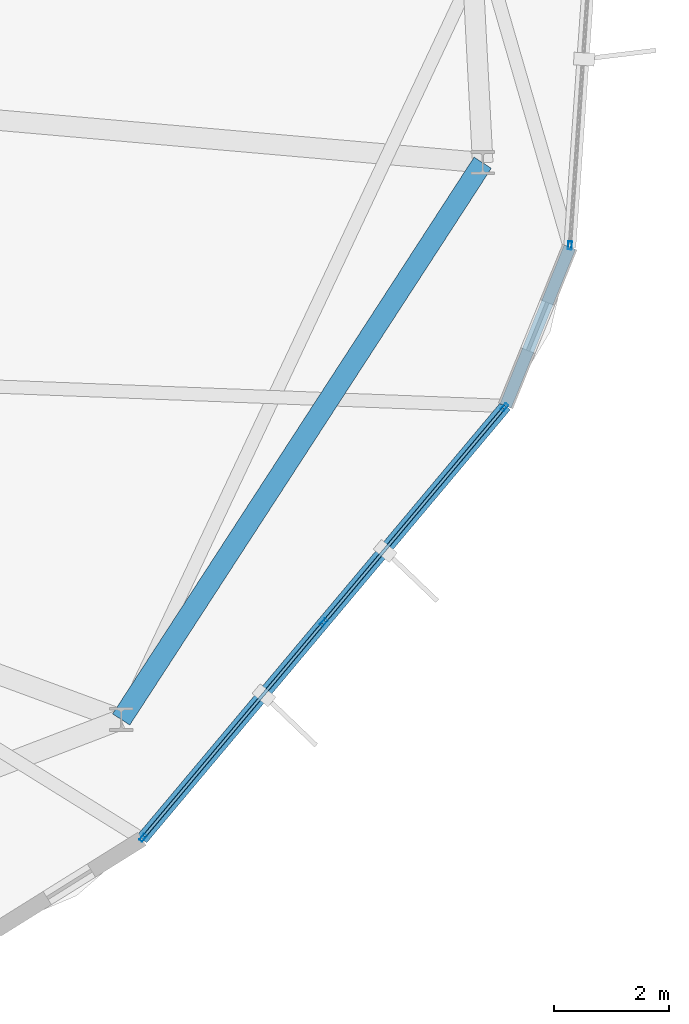
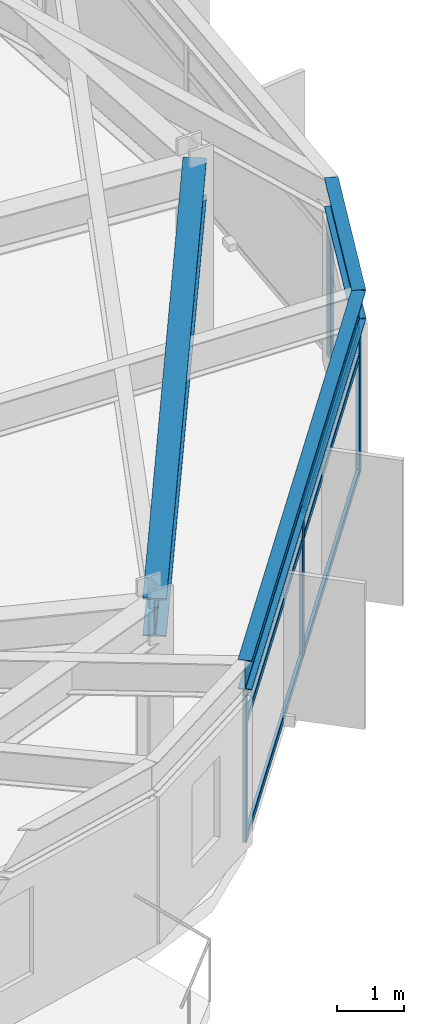
# One storey, part 8 of 23: 10 members, 3 beams, 2 elements without a shape of their own.
"""IFC4 building model written with IfcOpenShell, lengths in metres."""

import ifcopenshell
import ifcopenshell.guid

model = None  # the IFC model being written
_history = None  # IfcOwnerHistory: only IFC2X3 demands one
_inside = {}  # id of a spatial element -> (the spatial element, [elements in it])
_under = {}  # id of a project, library or spatial element -> (it, [spatial elements below it])
_declared = {}  # id of a project -> (the project, [libraries it declares])
_typed = {}  # id of a type object -> (the type object, [elements of that type])
_made_of = {}  # id of a material, layer set ... -> (it, [elements and type objects made of it])


def new_model(schema):
    """Start an empty IFC model of exactly this schema.

    Asked for "IFC4X3", IfcOpenShell would pick the latest addendum, in which some entities
    have other attributes; the version numbers below select the first issue.
    IFC2X3 requires an IfcOwnerHistory on every rooted entity: one is made here for all.
    """
    global model, _history
    if schema == "IFC4X3":
        model = ifcopenshell.file(schema_version=(4, 3, 0, 0))
    else:
        model = ifcopenshell.file(schema=schema)
    _inside.clear()
    _under.clear()
    _declared.clear()
    _typed.clear()
    _made_of.clear()
    _history = None
    if model.schema == "IFC2X3":
        org = make("IfcOrganization", Name="unknown")
        user = make(
            "IfcPersonAndOrganization",
            ThePerson=make("IfcPerson", FamilyName="unknown"),
            TheOrganization=org,
        )
        app = make(
            "IfcApplication",
            ApplicationDeveloper=org,
            Version="unknown",
            ApplicationFullName="unknown",
            ApplicationIdentifier="unknown",
        )
        _history = make(
            "IfcOwnerHistory",
            OwningUser=user,
            OwningApplication=app,
            ChangeAction="ADDED",
            CreationDate=0,
        )
    return model


def make(cls, **values):
    """One entity of the class cls with the attributes given. An attribute that is None is left unset."""
    return model.create_entity(
        cls, **{name: value for name, value in values.items() if value is not None}
    )


def rooted(cls, **values):
    """An entity with a GlobalId (a new one), such as an element, a storey or a relation."""
    return make(cls, GlobalId=ifcopenshell.guid.new(), OwnerHistory=_history, **values)


def si_unit(unit_type, name, prefix=None):
    """IfcSIUnit, for example si_unit("LENGTHUNIT", "METRE", prefix="MILLI")."""
    return make("IfcSIUnit", UnitType=unit_type, Prefix=prefix, Name=name)


def assignment(units):
    """IfcUnitAssignment: the units of a project."""
    return None if units is None else make("IfcUnitAssignment", Units=units)


def point(xyz):
    """IfcCartesianPoint."""
    return None if xyz is None else make("IfcCartesianPoint", Coordinates=xyz)


def direction(xyz):
    """IfcDirection."""
    return None if xyz is None else make("IfcDirection", DirectionRatios=xyz)


def frame(location, z_axis=None, x_axis=None):
    """IfcAxis2Placement3D, a coordinate frame: its origin and axes. An axis left out is left unset."""
    return make(
        "IfcAxis2Placement3D",
        Location=point(location),
        Axis=direction(z_axis),
        RefDirection=direction(x_axis),
    )


def frame_2d(location, x_axis=None):
    """IfcAxis2Placement2D, a coordinate frame in the plane: its origin and x axis."""
    return make(
        "IfcAxis2Placement2D", Location=point(location), RefDirection=direction(x_axis)
    )


def origin():
    """The frame at (0, 0, 0) with its axes left unset."""
    return frame((0.0, 0.0, 0.0))


def origin_2d():
    """The frame at (0, 0) in the plane with its x axis left unset."""
    return frame_2d((0.0, 0.0))


def place(relative_to, where):
    """IfcLocalPlacement: puts the frame where relative to a parent placement (None: the world)."""
    return make(
        "IfcLocalPlacement", PlacementRelTo=relative_to, RelativePlacement=where
    )


def context(
    kind, dimensions, precision=None, world=None, true_north=None, identifier=None
):
    """IfcGeometricRepresentationContext, for example the 3D "Model" context."""
    return make(
        "IfcGeometricRepresentationContext",
        ContextIdentifier=identifier,
        ContextType=kind,
        CoordinateSpaceDimension=dimensions,
        Precision=precision,
        WorldCoordinateSystem=world,
        TrueNorth=true_north,
    )


def subcontext(parent, identifier, kind, view, scale=None):
    """IfcGeometricRepresentationSubContext, for example "Body" below "Model"."""
    return make(
        "IfcGeometricRepresentationSubContext",
        ContextIdentifier=identifier,
        ContextType=kind,
        ParentContext=parent,
        TargetScale=scale,
        TargetView=view,
    )


def project(units=None, contexts=None):
    """IfcProject with its units and contexts."""
    return rooted(
        "IfcProject",
        Name="project",
        RepresentationContexts=contexts,
        UnitsInContext=assignment(units),
    )


def spatial(cls, under=None, at=None, **own):
    """A site, building, storey or space (cls), placed at a placement, below another one or the project."""
    s = rooted(cls, ObjectPlacement=at, **own)
    if under is not None:
        _under.setdefault(under.id(), (under, []))[1].append(s)
    return s


def profile(cls, at=None, kind="AREA", **sizes):
    """A parametric profile (cls). Its sizes go by their IFC names, for example OverallWidth=200.0."""
    return make(cls, ProfileType=kind, Position=at, **sizes)


def hollow_rectangle(**sizes):
    """IfcRectangleHollowProfileDef."""
    return profile("IfcRectangleHollowProfileDef", **sizes)


def i_section(**sizes):
    """IfcIShapeProfileDef."""
    return profile("IfcIShapeProfileDef", **sizes)


def extrude(swept, where, along, depth):
    """IfcExtrudedAreaSolid: the profile swept, set in the frame where, extruded along a direction by depth."""
    return make(
        "IfcExtrudedAreaSolid",
        SweptArea=swept,
        Position=where,
        ExtrudedDirection=direction(along),
        Depth=depth,
    )


def shape(context_of_items, identifier, shape_type, items):
    """IfcShapeRepresentation: the items that make up one representation, for example the "Body"."""
    return make(
        "IfcShapeRepresentation",
        ContextOfItems=context_of_items,
        RepresentationIdentifier=identifier,
        RepresentationType=shape_type,
        Items=items,
    )


def material(Name=None, Category=None):
    """IfcMaterial."""
    return make("IfcMaterial", Name=Name, Category=Category)


def layer(
    of_material, thickness, ventilated=None, Name=None, Category=None, Priority=None
):
    """IfcMaterialLayer: one layer of a wall or slab, of a material (None: an air gap)."""
    return make(
        "IfcMaterialLayer",
        Material=of_material,
        LayerThickness=thickness,
        IsVentilated=ventilated,
        Name=Name,
        Category=Category,
        Priority=Priority,
    )


def layer_set(layers, Name=None):
    """IfcMaterialLayerSet."""
    return make("IfcMaterialLayerSet", MaterialLayers=layers, LayerSetName=Name)


def material_profile(
    of_material, cross_section, Name=None, Category=None, Priority=None
):
    """IfcMaterialProfile: a cross section and its material."""
    return make(
        "IfcMaterialProfile",
        Name=Name,
        Material=of_material,
        Profile=cross_section,
        Priority=Priority,
        Category=Category,
    )


def profile_set(profiles, Name=None, composite=None):
    """IfcMaterialProfileSet."""
    return make(
        "IfcMaterialProfileSet",
        Name=Name,
        MaterialProfiles=profiles,
        CompositeProfile=composite,
    )


def made_of(thing, what):
    """Note that an element or type object is made of a material, layer set ...; save() writes the relation."""
    if what is not None:
        _made_of.setdefault(what.id(), (what, []))[1].append(thing)
    return thing


def type_object(cls, material=None, **own):
    """A type object (cls), such as IfcWallType, which elements share."""
    return made_of(rooted(cls, **own), material)


def element(
    cls,
    number,
    at=None,
    inside=None,
    cuts=None,
    type_object=None,
    material=None,
    context=None,
    identifier="Body",
    shape_type=None,
    held_by="IfcProductDefinitionShape",
    body=None,
    shapes=None,
    **own,
):
    """One element of the class cls, such as IfcWall. Its Tag is "e" and its number.

    at: its placement. inside: the storey or other place that contains it. cuts: it is an
    opening in that element (IfcRelVoidsElement). A single representation is given by context,
    identifier, shape_type and body (its items); several are given by shapes. held_by: the class
    of the entity that holds the representations. save() writes the other relations.
    """
    e = rooted(cls, Tag="e%d" % number, ObjectPlacement=at, **own)
    if body is not None:
        shapes = [shape(context, identifier, shape_type, body)]
    if shapes is not None:
        e.Representation = make(held_by, Representations=shapes)
    if inside is not None:
        _inside.setdefault(inside.id(), (inside, []))[1].append(e)
    if cuts is not None:
        rooted(
            "IfcRelVoidsElement", RelatingBuildingElement=cuts, RelatedOpeningElement=e
        )
    if type_object is not None:
        _typed.setdefault(type_object.id(), (type_object, []))[1].append(e)
    return made_of(e, material)


def aggregate(whole, parts):
    """IfcRelAggregates: a whole, such as a stair, and the parts it consists of."""
    return rooted("IfcRelAggregates", RelatingObject=whole, RelatedObjects=parts)


def save(model, path):
    """Write the relations noted so far, then the file.

    IfcRelAggregates (storeys below a building ...), IfcRelContainedInSpatialStructure (elements
    in a storey), IfcRelDefinesByType, IfcRelAssociatesMaterial and IfcRelDeclares: one each for
    every whole, place, type object, material and project.
    """
    for whole, parts in _under.values():
        aggregate(whole, parts)
    for where, things in _inside.values():
        rooted(
            "IfcRelContainedInSpatialStructure",
            RelatedElements=things,
            RelatingStructure=where,
        )
    for kind, things in _typed.values():
        rooted("IfcRelDefinesByType", RelatedObjects=things, RelatingType=kind)
    for what, things in _made_of.values():
        rooted("IfcRelAssociatesMaterial", RelatedObjects=things, RelatingMaterial=what)
    for by, libraries in _declared.values():
        rooted("IfcRelDeclares", RelatingContext=by, RelatedDefinitions=libraries)
    model.write(path)


model = new_model("IFC4")

# Units and contexts
model_context = context("Model", 3, precision=1e-05, world=origin(), true_north=direction((0.0, 1.0)))
body_context = subcontext(model_context, "Body", "Model", "MODEL_VIEW")
ifc_project = project(units=[si_unit("LENGTHUNIT", "METRE"), si_unit("AREAUNIT", "SQUARE_METRE"), si_unit("VOLUMEUNIT", "CUBIC_METRE"), si_unit("PLANEANGLEUNIT", "RADIAN"), si_unit("MASSUNIT", "GRAM", prefix="KILO")], contexts=[model_context])

# Site, building, storey
site_placement = place(None, origin())
site = spatial("IfcSite", under=ifc_project, at=site_placement, CompositionType="ELEMENT")
building_placement = place(site_placement, origin())
building = spatial("IfcBuilding", under=site, at=building_placement, Name="Soratama Intermodal Tower", CompositionType="ELEMENT")
storey_placement = place(building_placement, frame((0.0, 0.0, 215.800048828125)))
storey = spatial("IfcBuildingStorey", under=building, at=storey_placement, Name="L54", CompositionType="ELEMENT", Elevation=215.800048828125)

# Beams
ifc_material_1 = material(Name="Structural steel ASTM A992 Grade 50", Category="steel")
ifc_material_profile_1 = material_profile(ifc_material_1, i_section(OverallWidth=0.35498046875, OverallDepth=0.695068359375, WebThickness=0.015380859375, FlangeThickness=0.02490234375, FilletRadius=0.01611328125, at=origin_2d()), Name="W27X146")
ifc_profile_set_1 = profile_set([ifc_material_profile_1], Name="Structural steel ASTM A992 Grade 50")
beam_type_1 = type_object("IfcBeamType", Name="BM-RING-W27X146", PredefinedType="BEAM", material=ifc_profile_set_1)
beam_1_placement = place(storey_placement, frame((56.705078125, 10.544921875, 2.952392578125), z_axis=(0.544637453764, 0.83867159482, 0.0), x_axis=(-0.83867159482, 0.544637453764, 0.0)))
element("IfcBeam", 1, at=beam_1_placement, inside=storey, type_object=beam_type_1, Name="BM-L54-RING-09", PredefinedType="BEAM", context=body_context, shape_type="SweptSolid", body=[
    extrude(i_section(OverallWidth=0.35498046875, OverallDepth=0.695068359375, WebThickness=0.015380859375, FlangeThickness=0.02490234375, FilletRadius=0.01611328125, at=origin_2d()), origin(), (0.0, 0.0, 1.0), 11.49560546875),
])
ifc_material_2 = material(Name="Structural steel ASTM A992 Grade 50", Category="steel")
ifc_material_profile_2 = material_profile(ifc_material_2, i_section(OverallWidth=0.2099609375, OverallDepth=0.537109375, WebThickness=0.010986328125, FlangeThickness=0.017333984375, FilletRadius=0.012939453125, at=origin_2d()), Name="W21X68")
ifc_profile_set_2 = profile_set([ifc_material_profile_2], Name="Structural steel ASTM A992 Grade 50")
beam_type_2 = type_object("IfcBeamType", Name="BM-SPN-W21X68", PredefinedType="SPANDREL", material=ifc_profile_set_2)
beam_2_placement = place(storey_placement, frame((57.06591796875, 8.47607421875, 3.031494140625), z_axis=(0.643059329608, 0.765816360888, 0.0), x_axis=(-0.765816360888, 0.643059329608, 0.0)))
element("IfcBeam", 2, at=beam_2_placement, inside=storey, type_object=beam_type_2, Name="BS-L54-F08", PredefinedType="SPANDREL", context=body_context, shape_type="SweptSolid", body=[
    extrude(i_section(OverallWidth=0.2099609375, OverallDepth=0.537109375, WebThickness=0.010986328125, FlangeThickness=0.017333984375, FilletRadius=0.012939453125, at=origin_2d()), origin(), (0.0, 0.0, 1.0), 9.791015625),
])
beam_3_placement = place(storey_placement, frame((63.362060546875, 15.97412109375, 3.031494140625), z_axis=(0.374893029437, 0.927068075429, 0.0), x_axis=(-0.927068075429, 0.374893029437, 0.0)))
element("IfcBeam", 3, at=beam_3_placement, inside=storey, type_object=beam_type_2, Name="BS-L54-CRN08", PredefinedType="SPANDREL", context=body_context, shape_type="SweptSolid", body=[
    extrude(i_section(OverallWidth=0.2099609375, OverallDepth=0.537109375, WebThickness=0.010986328125, FlangeThickness=0.017333984375, FilletRadius=0.012939453125, at=origin_2d()), origin(), (0.0, 0.0, 1.0), 2.96630859375),
])

# Curtain wall, members
ifc_material_3 = material(Name="Double-glazed aluminium curtain wall", Category="aluminium")
ifc_layer = layer(ifc_material_3, 0.159912109375)
ifc_layer_set = layer_set([ifc_layer], Name="Double-glazed aluminium curtain wall")
curtain_wall_type = type_object("IfcCurtainWallType", Name="CW-SYS-5", PredefinedType="NOTDEFINED", material=ifc_layer_set)
curtain_wall_1_placement = place(storey_placement, origin())
curtain_wall_1 = element("IfcCurtainWall", 4, at=curtain_wall_1_placement, inside=storey, type_object=curtain_wall_type, Name="L54 Faceted Curtain Wall F08", PredefinedType="NOTDEFINED")
ifc_material_4 = material(Name="Anodised aluminium AA 6063-T6", Category="aluminium")
ifc_material_profile_3 = material_profile(ifc_material_4, hollow_rectangle(XDim=0.06494140625, YDim=0.139892578125, WallThickness=0.0048828125, InnerFilletRadius=0.0048828125, OuterFilletRadius=0.010009765625, at=origin_2d()), Name="CWM140X65X5")
ifc_profile_set_3 = profile_set([ifc_material_profile_3], Name="Anodised aluminium AA 6063-T6")
member_type_1 = type_object("IfcMemberType", Name="MT-CWM-5", PredefinedType="MULLION", material=ifc_profile_set_3)
member_1_placement = place(storey_placement, frame((57.085205078125, 8.499267578125, 0.0), z_axis=(0.0, 0.0, 1.0), x_axis=(-0.76582316527, 0.643051226214, 0.0)))
member_1 = element("IfcMember", 5, at=member_1_placement, type_object=member_type_1, Name="CW-5 mullion 1", PredefinedType="MULLION", context=body_context, shape_type="SweptSolid", body=[
    extrude(hollow_rectangle(XDim=0.06494140625, YDim=0.139892578125, WallThickness=0.0048828125, InnerFilletRadius=0.0048828125, OuterFilletRadius=0.010009765625, at=origin_2d()), origin(), (0.0, 0.0, 1.0), 2.678955078125),
])
member_2_placement = place(storey_placement, frame((60.213623046875, 12.22509765625, 0.0), z_axis=(0.0, 0.0, 1.0), x_axis=(-0.76582316527, 0.643051226214, 0.0)))
member_2 = element("IfcMember", 6, at=member_2_placement, type_object=member_type_1, Name="CW-5 mullion 2", PredefinedType="MULLION", context=body_context, shape_type="SweptSolid", body=[
    extrude(hollow_rectangle(XDim=0.06494140625, YDim=0.139892578125, WallThickness=0.0048828125, InnerFilletRadius=0.0048828125, OuterFilletRadius=0.010009765625, at=origin_2d()), origin(), (0.0, 0.0, 1.0), 2.678955078125),
])
member_3_placement = place(storey_placement, frame((63.34228515625, 15.950927734375, 0.0), z_axis=(0.0, 0.0, 1.0), x_axis=(-0.76582316527, 0.643051226214, 0.0)))
member_3 = element("IfcMember", 7, at=member_3_placement, type_object=member_type_1, Name="CW-5 mullion 3", PredefinedType="MULLION", context=body_context, shape_type="SweptSolid", body=[
    extrude(hollow_rectangle(XDim=0.06494140625, YDim=0.139892578125, WallThickness=0.0048828125, InnerFilletRadius=0.0048828125, OuterFilletRadius=0.010009765625, at=origin_2d()), origin(), (0.0, 0.0, 1.0), 2.678955078125),
])

# Curtain wall, member
curtain_wall_2_placement = place(storey_placement, origin())
curtain_wall_2 = element("IfcCurtainWall", 8, at=curtain_wall_2_placement, inside=storey, type_object=curtain_wall_type, Name="L54 Faceted Curtain Wall F09", PredefinedType="NOTDEFINED")
member_4_placement = place(storey_placement, frame((64.47607421875, 18.75390625, 0.0), z_axis=(0.0, 0.0, 1.0), x_axis=(-0.997539347633, 0.070108843405, 0.0)))
member_4 = element("IfcMember", 9, at=member_4_placement, type_object=member_type_1, Name="CW-5 mullion 1", PredefinedType="MULLION", context=body_context, shape_type="SweptSolid", body=[
    extrude(hollow_rectangle(XDim=0.06494140625, YDim=0.139892578125, WallThickness=0.0048828125, InnerFilletRadius=0.0048828125, OuterFilletRadius=0.010009765625, at=origin_2d()), origin(), (0.0, 0.0, 1.0), 2.678955078125),
])
aggregate(curtain_wall_2, [member_4])

# Member
ifc_material_5 = material(Name="Anodised aluminium AA 6063-T6", Category="aluminium")
ifc_material_profile_4 = material_profile(ifc_material_5, hollow_rectangle(XDim=0.06005859375, YDim=0.1298828125, WallThickness=0.0048828125, InnerFilletRadius=0.0048828125, OuterFilletRadius=0.010009765625, at=origin_2d()), Name="CWT130X60X5")
ifc_profile_set_4 = profile_set([ifc_material_profile_4], Name="Anodised aluminium AA 6063-T6")
member_type_2 = type_object("IfcMemberType", Name="TT-CWT-2", PredefinedType="USERDEFINED", material=ifc_profile_set_4)
member_5_placement = place(storey_placement, frame((57.1044921875, 8.522216796875, 0.030029296875), z_axis=(0.643033593677, 0.765837970724, 0.0), x_axis=(-0.765837970724, 0.643033593677, 0.0)))
member_5 = element("IfcMember", 10, at=member_5_placement, type_object=member_type_2, Name="CW-5 transom 1.1", ObjectType="TRANSOM", PredefinedType="USERDEFINED", context=body_context, shape_type="SweptSolid", body=[
    extrude(hollow_rectangle(XDim=0.06005859375, YDim=0.1298828125, WallThickness=0.0048828125, InnerFilletRadius=0.0048828125, OuterFilletRadius=0.010009765625, at=origin_2d()), origin(), (0.0, 0.0, 1.0), 4.80517578125),
])

member_6_placement = place(storey_placement, frame((57.1044921875, 8.522216796875, 2.14990234375), z_axis=(0.643033593677, 0.765837970724, 0.0), x_axis=(-0.765837970724, 0.643033593677, 0.0)))
member_6 = element("IfcMember", 11, at=member_6_placement, type_object=member_type_2, Name="CW-5 transom 1.2", ObjectType="TRANSOM", PredefinedType="USERDEFINED", context=body_context, shape_type="SweptSolid", body=[
    extrude(hollow_rectangle(XDim=0.06005859375, YDim=0.1298828125, WallThickness=0.0048828125, InnerFilletRadius=0.0048828125, OuterFilletRadius=0.010009765625, at=origin_2d()), origin(), (0.0, 0.0, 1.0), 4.80517578125),
])

member_7_placement = place(storey_placement, frame((57.1044921875, 8.522216796875, 2.64892578125), z_axis=(0.643033593677, 0.765837970724, 0.0), x_axis=(-0.765837970724, 0.643033593677, 0.0)))
member_7 = element("IfcMember", 12, at=member_7_placement, type_object=member_type_2, Name="CW-5 transom 1.3", ObjectType="TRANSOM", PredefinedType="USERDEFINED", context=body_context, shape_type="SweptSolid", body=[
    extrude(hollow_rectangle(XDim=0.06005859375, YDim=0.1298828125, WallThickness=0.0048828125, InnerFilletRadius=0.0048828125, OuterFilletRadius=0.010009765625, at=origin_2d()), origin(), (0.0, 0.0, 1.0), 4.80517578125),
])

member_8_placement = place(storey_placement, frame((60.23291015625, 12.248046875, 0.030029296875), z_axis=(0.643063391854, 0.765812949784, 0.0), x_axis=(-0.765812949784, 0.643063391854, 0.0)))
member_8 = element("IfcMember", 13, at=member_8_placement, type_object=member_type_2, Name="CW-5 transom 2.1", ObjectType="TRANSOM", PredefinedType="USERDEFINED", context=body_context, shape_type="SweptSolid", body=[
    extrude(hollow_rectangle(XDim=0.06005859375, YDim=0.1298828125, WallThickness=0.0048828125, InnerFilletRadius=0.0048828125, OuterFilletRadius=0.010009765625, at=origin_2d()), origin(), (0.0, 0.0, 1.0), 4.80517578125),
])

member_9_placement = place(storey_placement, frame((60.23291015625, 12.248046875, 2.14990234375), z_axis=(0.643063391854, 0.765812949784, 0.0), x_axis=(-0.765812949784, 0.643063391854, 0.0)))
member_9 = element("IfcMember", 14, at=member_9_placement, type_object=member_type_2, Name="CW-5 transom 2.2", ObjectType="TRANSOM", PredefinedType="USERDEFINED", context=body_context, shape_type="SweptSolid", body=[
    extrude(hollow_rectangle(XDim=0.06005859375, YDim=0.1298828125, WallThickness=0.0048828125, InnerFilletRadius=0.0048828125, OuterFilletRadius=0.010009765625, at=origin_2d()), origin(), (0.0, 0.0, 1.0), 4.80517578125),
])

member_10_placement = place(storey_placement, frame((60.23291015625, 12.248046875, 2.64892578125), z_axis=(0.643063391854, 0.765812949784, 0.0), x_axis=(-0.765812949784, 0.643063391854, 0.0)))
member_10 = element("IfcMember", 15, at=member_10_placement, type_object=member_type_2, Name="CW-5 transom 2.3", ObjectType="TRANSOM", PredefinedType="USERDEFINED", context=body_context, shape_type="SweptSolid", body=[
    extrude(hollow_rectangle(XDim=0.06005859375, YDim=0.1298828125, WallThickness=0.0048828125, InnerFilletRadius=0.0048828125, OuterFilletRadius=0.010009765625, at=origin_2d()), origin(), (0.0, 0.0, 1.0), 4.80517578125),
])

aggregate(curtain_wall_1, [member_1, member_2, member_3, member_5, member_6, member_7, member_8, member_9, member_10])

save(model, "model.ifc")
